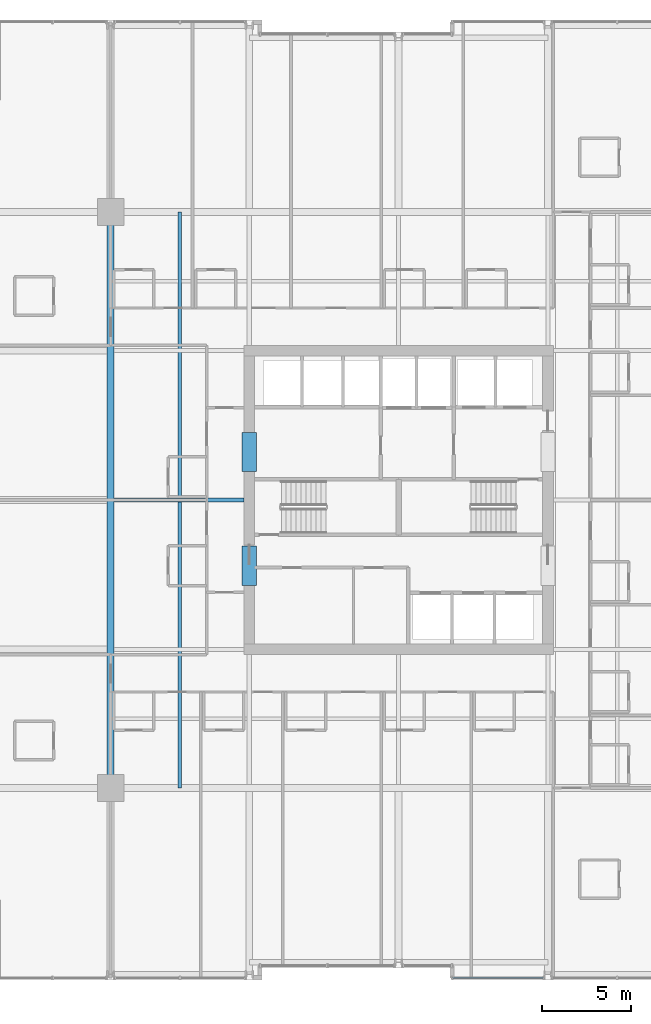
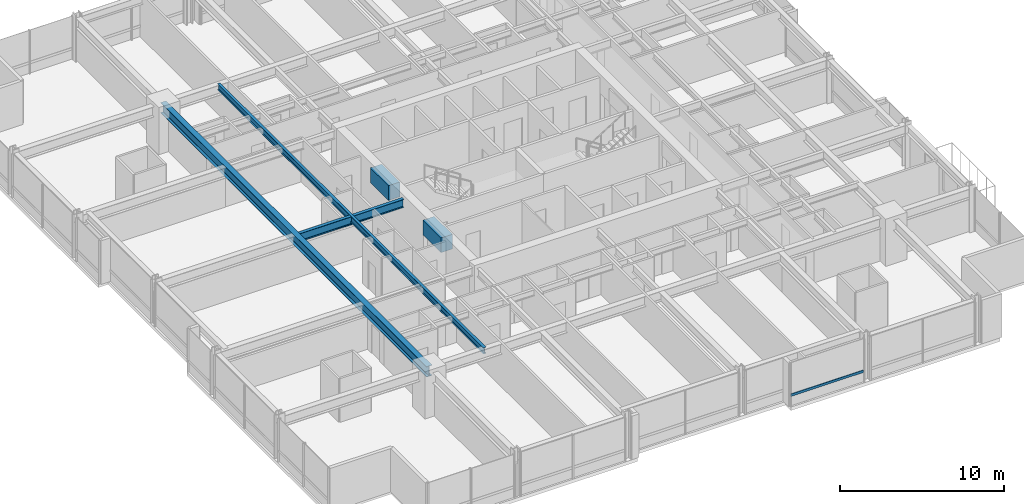
# One storey, part 10 of 34: 5 beams, 1 member, 1 element without a shape of its own.
"""IFC4 building model written with IfcOpenShell, lengths in metres."""

from ifc_helpers import new_model, si_unit, direction, frame, origin, origin_2d, place, context, subcontext, project, spatial, rectangle, hollow_rectangle, i_section, extrude, material, layer, layer_set, material_profile, profile_set, type_object, element, aggregate, save


model = new_model("IFC4")

# Units and contexts
model_context = context("Model", 3, precision=1e-05, world=origin(), true_north=direction((0.0, 1.0)))
body_context = subcontext(model_context, "Body", "Model", "MODEL_VIEW")
ifc_project = project(units=[si_unit("LENGTHUNIT", "METRE"), si_unit("AREAUNIT", "SQUARE_METRE"), si_unit("VOLUMEUNIT", "CUBIC_METRE"), si_unit("PLANEANGLEUNIT", "RADIAN"), si_unit("MASSUNIT", "GRAM", prefix="KILO")], contexts=[model_context])

# Site, building, storey
site_placement = place(None, origin())
site = spatial("IfcSite", under=ifc_project, at=site_placement, CompositionType="ELEMENT")
building_placement = place(site_placement, origin())
building = spatial("IfcBuilding", under=site, at=building_placement, Name="Drelvath Grand Hotel", CompositionType="ELEMENT")
storey_placement = place(building_placement, frame((0.0, 0.0, 91.800048828125)))
storey = spatial("IfcBuildingStorey", under=building, at=storey_placement, Name="L22", CompositionType="ELEMENT", Elevation=91.800048828125)

# Beams
ifc_material_1 = material(Name="Steel ASTM A992 Gr 50", Category="steel")
ifc_material_profile_1 = material_profile(ifc_material_1, i_section(OverallWidth=0.19140625, OverallDepth=0.4599609375, WebThickness=0.010009765625, FlangeThickness=0.01611328125, FilletRadius=0.01611328125, at=origin_2d()), Name="W18X55")
ifc_profile_set_1 = profile_set([ifc_material_profile_1], Name="Steel ASTM A992 Gr 50")
beam_type_1 = type_object("IfcBeamType", Name="Composite Floor Joist W18X55", PredefinedType="JOIST", material=ifc_profile_set_1)
beam_1_placement = place(storey_placement, frame((-12.300048828125, 10.800048828125, 3.010009765625), z_axis=(0.0, 1.0, 0.0), x_axis=(-1.0, 0.0, 0.0)))
element("IfcBeam", 1, at=beam_1_placement, inside=storey, type_object=beam_type_1, Name="L22 Wing Floor Joist J3", PredefinedType="JOIST", context=body_context, shape_type="SweptSolid", body=[
    extrude(i_section(OverallWidth=0.19140625, OverallDepth=0.4599609375, WebThickness=0.010009765625, FlangeThickness=0.01611328125, FilletRadius=0.01611328125, at=origin_2d()), origin(), (0.0, 0.0, 1.0), 32.39990234375),
])
ifc_material_2 = material(Name="Concrete f'c 70 MPa", Category="concrete")
ifc_material_profile_2 = material_profile(ifc_material_2, rectangle(XDim=0.800048828125, YDim=1.10009765625, at=origin_2d()), Name="CB800X1100")
ifc_profile_set_2 = profile_set([ifc_material_profile_2], Name="Concrete f'c 70 MPa")
beam_type_2 = type_object("IfcBeamType", Name="Core Coupling Lintel CB800X1100", PredefinedType="LINTEL", material=ifc_profile_set_2)
for number, where, z_axis, x_axis, name in (
    (2, (-8.39990234375, 22.199951171875, 2.68994140625), (0.0, 1.0, 0.0), (-1.0, 0.0, 0.0), "L22 Core Coupling Lintel WS"),
    (3, (-8.39990234375, 28.60009765625, 2.68994140625), (0.0, 1.0, 0.0), (-1.0, 0.0, 0.0), "L22 Core Coupling Lintel WN"),
):
    element("IfcBeam", number, at=place(storey_placement, frame(where, z_axis=z_axis, x_axis=x_axis)), inside=storey, type_object=beam_type_2, Name=name, PredefinedType="LINTEL", context=body_context, shape_type="SweptSolid", body=[
        extrude(rectangle(XDim=0.800048828125, YDim=1.10009765625, at=origin_2d()), origin(), (0.0, 0.0, 1.0), 2.199951171875),
    ])

# Curtain wall, member
ifc_material_3 = material(Name="Champagne Bronze Anodised Aluminium Frame", Category="aluminium")
ifc_layer = layer(ifc_material_3, 0.199951171875)
ifc_layer_set = layer_set([ifc_layer], Name="Champagne Bronze Anodised Aluminium Frame")
curtain_wall_type = type_object("IfcCurtainWallType", Name="Stick Curtain Wall CW-03 Champagne Bronze Mid-Rise", PredefinedType="NOTDEFINED", material=ifc_layer_set)
curtain_wall_placement = place(storey_placement, origin())
curtain_wall = element("IfcCurtainWall", 4, at=curtain_wall_placement, inside=storey, type_object=curtain_wall_type, Name="L22 CW-03 Curtain Wall CW03-L22-SE1", PredefinedType="NOTDEFINED")
ifc_material_profile_3 = material_profile(ifc_material_3, hollow_rectangle(XDim=0.074951171875, YDim=0.179931640625, WallThickness=0.0048828125, at=origin_2d()), Name="HSS180X75X5")
ifc_profile_set_3 = profile_set([ifc_material_profile_3], Name="Champagne Bronze Anodised Aluminium Frame")
member_type = type_object("IfcMemberType", Name="Curtain Wall Horizontal Transom CW-03 HSS180X75X5", PredefinedType="USERDEFINED", material=ifc_profile_set_3)
member_placement = place(storey_placement, frame((8.140380859375, 0.1201171875, 0.81005859375), z_axis=(-1.0, 0.0, 0.0), x_axis=(0.0, -1.0, 0.0)))
member = element("IfcMember", 5, at=member_placement, type_object=member_type, Name="CW03-L22-SE1 Sill Transom", ObjectType="TRANSOM", PredefinedType="USERDEFINED", context=body_context, shape_type="SweptSolid", body=[
    extrude(hollow_rectangle(XDim=0.074951171875, YDim=0.179931640625, WallThickness=0.0048828125, at=origin_2d()), origin(), (0.0, 0.0, 1.0), 5.100341796875),
])
aggregate(curtain_wall, [member])

# Beams
ifc_material_profile_4 = material_profile(ifc_material_1, i_section(OverallWidth=0.228271484375, OverallDepth=0.607666015625, WebThickness=0.01123046875, FlangeThickness=0.017333984375, FilletRadius=0.02001953125, at=origin_2d()), Name="W24X76")
ifc_profile_set_4 = profile_set([ifc_material_profile_4], Name="Steel ASTM A992 Gr 50")
beam_type_3 = type_object("IfcBeamType", Name="Primary Floor Girder W24X76", PredefinedType="BEAM", material=ifc_profile_set_4)
beam_2_placement = place(storey_placement, frame((-16.009765625, 27.0, 2.93603515625), z_axis=(1.0, 0.0, 0.0), x_axis=(0.0, 1.0, 0.0)))
element("IfcBeam", 6, at=beam_2_placement, inside=storey, type_object=beam_type_3, Name="L22 West Core Tie E", PredefinedType="BEAM", context=body_context, shape_type="SweptSolid", body=[
    extrude(i_section(OverallWidth=0.228271484375, OverallDepth=0.607666015625, WebThickness=0.01123046875, FlangeThickness=0.017333984375, FilletRadius=0.02001953125, at=origin_2d()), origin(), (0.0, 0.0, 1.0), 7.309814453125),
])
ifc_material_profile_5 = material_profile(ifc_material_1, i_section(OverallWidth=0.380615234375, OverallDepth=0.773193359375, WebThickness=0.0166015625, FlangeThickness=0.027099609375, FilletRadius=0.02490234375, at=origin_2d()), Name="W30X173")
ifc_profile_set_5 = profile_set([ifc_material_profile_5], Name="Steel ASTM A992 Gr 50")
beam_type_4 = type_object("IfcBeamType", Name="Primary Floor Girder W30X173", PredefinedType="BEAM", material=ifc_profile_set_5)
beam_3_placement = place(storey_placement, frame((-16.199951171875, 10.800048828125, 2.853271484375), z_axis=(0.0, 1.0, 0.0), x_axis=(-1.0, 0.0, 0.0)))
element("IfcBeam", 7, at=beam_3_placement, inside=storey, type_object=beam_type_4, Name="L22 Mega Ring Girder West", PredefinedType="BEAM", context=body_context, shape_type="SweptSolid", body=[
    extrude(i_section(OverallWidth=0.380615234375, OverallDepth=0.773193359375, WebThickness=0.0166015625, FlangeThickness=0.027099609375, FilletRadius=0.02490234375, at=origin_2d()), origin(), (0.0, 0.0, 1.0), 32.39990234375),
])

save(model, "model.ifc")
